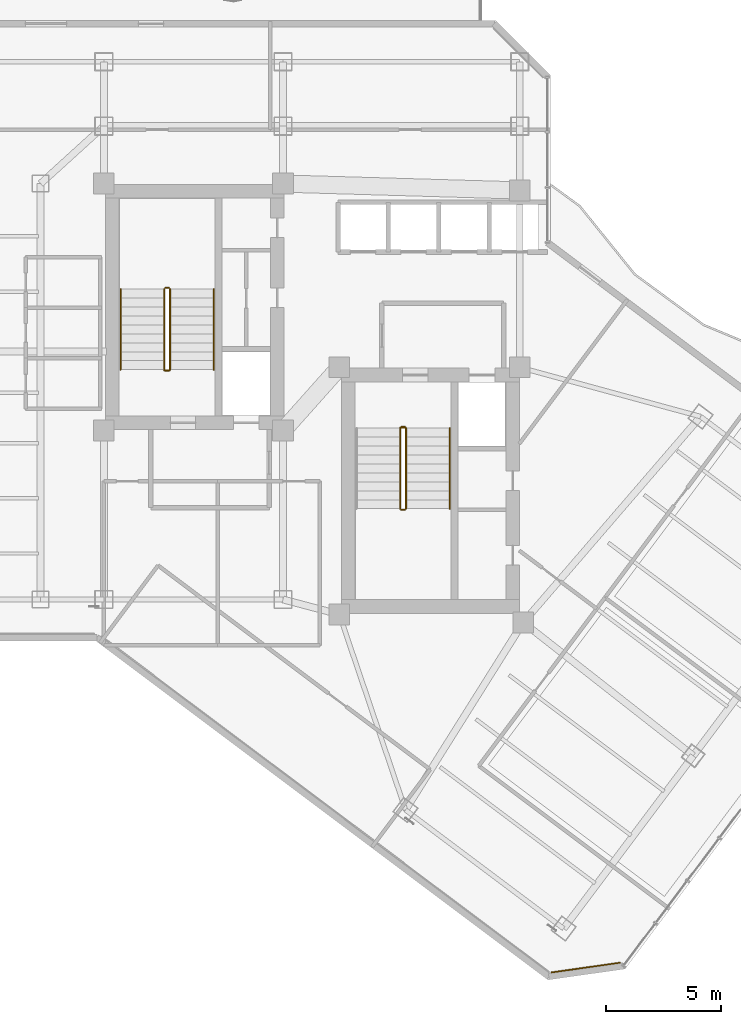
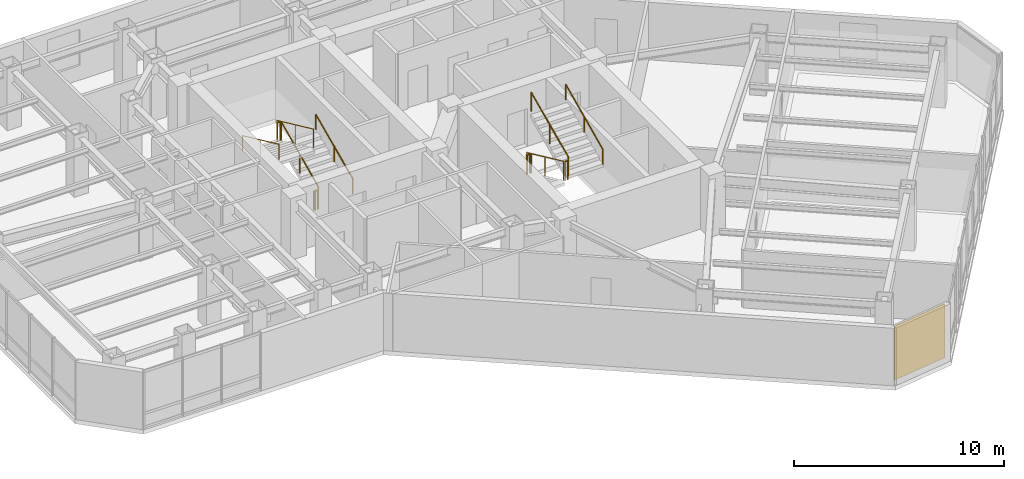
# One storey, part 26 of 27: 13 railings, 1 covering.
"""IFC4 building model written with IfcOpenShell, lengths in metres."""

from ifc_helpers import new_model, si_unit, direction, frame, origin, origin_2d, place, context, subcontext, project, spatial, rectangle, circle, extrude, material, layer, layer_set, type_object, element, save


model = new_model("IFC4")

# Units and contexts
model_context = context("Model", 3, precision=1e-05, world=origin(), true_north=direction((0.0, 1.0)))
body_context = subcontext(model_context, "Body", "Model", "MODEL_VIEW")
ifc_project = project(units=[si_unit("LENGTHUNIT", "METRE"), si_unit("AREAUNIT", "SQUARE_METRE"), si_unit("VOLUMEUNIT", "CUBIC_METRE"), si_unit("PLANEANGLEUNIT", "RADIAN"), si_unit("MASSUNIT", "GRAM", prefix="KILO")], contexts=[model_context])

# Site, building, storey
site_placement = place(None, origin())
site = spatial("IfcSite", under=ifc_project, at=site_placement, CompositionType="ELEMENT")
building_placement = place(site_placement, origin())
building = spatial("IfcBuilding", under=site, at=building_placement, Name="Hatsunagi Terrace Concourse", CompositionType="ELEMENT")
storey_placement = place(building_placement, frame((0.0, 0.0, 174.449951171875)))
storey = spatial("IfcBuildingStorey", under=building, at=storey_placement, Name="L46", CompositionType="ELEMENT", Elevation=174.449951171875)

# Railings
ifc_material_1 = material(Name="Stainless steel", Category="steel")
ifc_layer_1 = layer(ifc_material_1, 0.044921875)
ifc_layer_set_1 = layer_set([ifc_layer_1], Name="StairPitchHandrail_Tower2000")
railing_type_1 = type_object("IfcRailingType", Name="StairPitchHandrail_Tower2000", PredefinedType="HANDRAIL", material=ifc_layer_set_1)
railing_1_placement = place(storey_placement, frame((30.330078125, 35.199951171875, 0.179931640625)))
element("IfcRailing", 1, at=railing_1_placement, inside=storey, type_object=railing_type_1, Name="L46 ST-A stair handrail 1", PredefinedType="HANDRAIL", context=body_context, shape_type="SweptSolid", body=[
    extrude(circle(Radius=0.02392578125, at=origin_2d()), frame((0.0, 0.0, 0.8759765625), z_axis=(0.0, 0.907948293929, 0.419082206198), x_axis=(-1.0, 0.0, 0.0)), (0.0, 0.0, 1.0), 3.865966796875),
    extrude(circle(Radius=0.02099609375, at=origin_2d()), origin(), (0.0, 0.0, 1.0), 0.851806640625),
    extrude(circle(Radius=0.02099609375, at=origin_2d()), frame((0.0, 1.7548828125, 0.81005859375)), (0.0, 0.0, 1.0), 0.851806640625),
    extrude(circle(Radius=0.02099609375, at=origin_2d()), frame((0.0, 3.510009765625, 1.6201171875)), (0.0, 0.0, 1.0), 0.851806640625),
])
railing_2_placement = place(storey_placement, frame((26.280029296875, 38.7099609375, 1.97998046875)))
element("IfcRailing", 2, at=railing_2_placement, inside=storey, type_object=railing_type_1, Name="L46 ST-A stair handrail 2", PredefinedType="HANDRAIL", context=body_context, shape_type="SweptSolid", body=[
    extrude(circle(Radius=0.02392578125, at=origin_2d()), frame((0.0, 0.0, 0.8759765625), z_axis=(0.0, -0.907948293929, 0.419082206198), x_axis=(1.0, 0.0, 0.0)), (0.0, 0.0, 1.0), 3.865966796875),
    extrude(circle(Radius=0.02099609375, at=origin_2d()), origin(), (0.0, 0.0, 1.0), 0.851806640625),
    extrude(circle(Radius=0.02099609375, at=origin_2d()), frame((0.0, -1.7548828125, 0.81005859375)), (0.0, 0.0, 1.0), 0.851806640625),
    extrude(circle(Radius=0.02099609375, at=origin_2d()), frame((0.0, -3.510009765625, 1.6201171875)), (0.0, 0.0, 1.0), 0.851806640625),
])
railing_3_placement = place(storey_placement, frame((40.60009765625, 29.14990234375, 1.97998046875)))
element("IfcRailing", 3, at=railing_3_placement, inside=storey, type_object=railing_type_1, Name="L46 ST-B stair handrail 2", PredefinedType="HANDRAIL", context=body_context, shape_type="SweptSolid", body=[
    extrude(circle(Radius=0.02392578125, at=origin_2d()), frame((0.0, 0.0, 0.8759765625), z_axis=(0.0, 0.907948293929, 0.419082206198), x_axis=(-1.0, 0.0, 0.0)), (0.0, 0.0, 1.0), 3.865966796875),
    extrude(circle(Radius=0.02099609375, at=origin_2d()), origin(), (0.0, 0.0, 1.0), 0.851806640625),
    extrude(circle(Radius=0.02099609375, at=origin_2d()), frame((0.0, 1.7548828125, 0.81005859375)), (0.0, 0.0, 1.0), 0.851806640625),
    extrude(circle(Radius=0.02099609375, at=origin_2d()), frame((0.0, 3.510009765625, 1.6201171875)), (0.0, 0.0, 1.0), 0.851806640625),
])
ifc_material_2 = material(Name="Stainless steel", Category="steel")
ifc_layer_2 = layer(ifc_material_2, 0.06005859375)
ifc_layer_set_2 = layer_set([ifc_layer_2], Name="StairWellGuard_Tower2000")
railing_type_2 = type_object("IfcRailingType", Name="StairWellGuard_Tower2000", PredefinedType="BALUSTRADE", material=ifc_layer_set_2)
railing_4_placement = place(storey_placement, frame((28.429931640625, 35.199951171875, 0.179931640625)))
element("IfcRailing", 4, at=railing_4_placement, inside=storey, type_object=railing_type_2, Name="L46 ST-A stair guard 1", PredefinedType="BALUSTRADE", context=body_context, shape_type="SweptSolid", body=[
    extrude(circle(Radius=0.02392578125, at=origin_2d()), frame((0.0, 0.0, 1.09619140625), z_axis=(0.0, 0.907948293929, 0.419082206198), x_axis=(-1.0, 0.0, 0.0)), (0.0, 0.0, 1.0), 3.865966796875),
    extrude(circle(Radius=0.02099609375, at=origin_2d()), origin(), (0.0, 0.0, 1.0), 1.072021484375),
    extrude(circle(Radius=0.02099609375, at=origin_2d()), frame((0.0, 1.7548828125, 0.81005859375)), (0.0, 0.0, 1.0), 1.072021484375),
    extrude(circle(Radius=0.02099609375, at=origin_2d()), frame((0.0, 3.510009765625, 1.6201171875)), (0.0, 0.0, 1.0), 1.072021484375),
])
railing_5_placement = place(storey_placement, frame((28.3798828125, 38.760009765625, 1.800048828125)))
element("IfcRailing", 5, at=railing_5_placement, inside=storey, type_object=railing_type_2, Name="L46 ST-A stair guard 2", PredefinedType="BALUSTRADE", context=body_context, shape_type="SweptSolid", body=[
    extrude(circle(Radius=0.02392578125, at=origin_2d()), frame((0.0, 0.0, 1.09619140625), z_axis=(-1.0, 0.0, 0.0), x_axis=(0.0, -1.0, 0.0)), (0.0, 0.0, 1.0), 0.14990234375),
    extrude(circle(Radius=0.02099609375, at=origin_2d()), origin(), (0.0, 0.0, 1.0), 1.072021484375),
    extrude(circle(Radius=0.02099609375, at=origin_2d()), frame((-0.14990234375, 0.0, 0.0)), (0.0, 0.0, 1.0), 1.072021484375),
])
railing_6_placement = place(storey_placement, frame((28.179931640625, 38.7099609375, 1.97998046875)))
element("IfcRailing", 6, at=railing_6_placement, inside=storey, type_object=railing_type_2, Name="L46 ST-A stair guard 3", PredefinedType="BALUSTRADE", context=body_context, shape_type="SweptSolid", body=[
    extrude(circle(Radius=0.02392578125, at=origin_2d()), frame((0.0, 0.0, 1.09619140625), z_axis=(0.0, -0.907948293929, 0.419082206198), x_axis=(1.0, 0.0, 0.0)), (0.0, 0.0, 1.0), 3.865966796875),
    extrude(circle(Radius=0.02099609375, at=origin_2d()), origin(), (0.0, 0.0, 1.0), 1.072021484375),
    extrude(circle(Radius=0.02099609375, at=origin_2d()), frame((0.0, -1.7548828125, 0.81005859375)), (0.0, 0.0, 1.0), 1.072021484375),
    extrude(circle(Radius=0.02099609375, at=origin_2d()), frame((0.0, -3.510009765625, 1.6201171875)), (0.0, 0.0, 1.0), 1.072021484375),
])
railing_7_placement = place(storey_placement, frame((28.3798828125, 35.14990234375, 0.0)))
element("IfcRailing", 7, at=railing_7_placement, inside=storey, type_object=railing_type_2, Name="L46 ST-A stair guard 4", PredefinedType="BALUSTRADE", context=body_context, shape_type="SweptSolid", body=[
    extrude(circle(Radius=0.02392578125, at=origin_2d()), frame((0.0, 0.0, 1.09619140625), z_axis=(-1.0, 0.0, 0.0), x_axis=(0.0, -1.0, 0.0)), (0.0, 0.0, 1.0), 0.14990234375),
    extrude(circle(Radius=0.02099609375, at=origin_2d()), origin(), (0.0, 0.0, 1.0), 1.072021484375),
    extrude(circle(Radius=0.02099609375, at=origin_2d()), frame((-0.14990234375, 0.0, 0.0)), (0.0, 0.0, 1.0), 1.072021484375),
])
railing_8_placement = place(storey_placement, frame((38.449951171875, 32.659912109375, 0.179931640625)))
element("IfcRailing", 8, at=railing_8_placement, inside=storey, type_object=railing_type_2, Name="L46 ST-B stair guard 1", PredefinedType="BALUSTRADE", context=body_context, shape_type="SweptSolid", body=[
    extrude(circle(Radius=0.02392578125, at=origin_2d()), frame((0.0, 0.0, 1.09619140625), z_axis=(0.0, -0.907948293929, 0.419082206198), x_axis=(1.0, 0.0, 0.0)), (0.0, 0.0, 1.0), 3.865966796875),
    extrude(circle(Radius=0.02099609375, at=origin_2d()), origin(), (0.0, 0.0, 1.0), 1.072021484375),
    extrude(circle(Radius=0.02099609375, at=origin_2d()), frame((0.0, -1.7548828125, 0.81005859375)), (0.0, 0.0, 1.0), 1.072021484375),
    extrude(circle(Radius=0.02099609375, at=origin_2d()), frame((0.0, -3.510009765625, 1.6201171875)), (0.0, 0.0, 1.0), 1.072021484375),
])
railing_9_placement = place(storey_placement, frame((38.5, 29.10009765625, 1.800048828125)))
element("IfcRailing", 9, at=railing_9_placement, inside=storey, type_object=railing_type_2, Name="L46 ST-B stair guard 2", PredefinedType="BALUSTRADE", context=body_context, shape_type="SweptSolid", body=[
    extrude(circle(Radius=0.02392578125, at=origin_2d()), frame((0.0, 0.0, 1.09619140625), z_axis=(1.0, 0.0, 0.0), x_axis=(0.0, 1.0, 0.0)), (0.0, 0.0, 1.0), 0.14990234375),
    extrude(circle(Radius=0.02099609375, at=origin_2d()), origin(), (0.0, 0.0, 1.0), 1.072021484375),
    extrude(circle(Radius=0.02099609375, at=origin_2d()), frame((0.14990234375, 0.0, 0.0)), (0.0, 0.0, 1.0), 1.072021484375),
])
railing_10_placement = place(storey_placement, frame((38.699951171875, 29.14990234375, 1.97998046875)))
element("IfcRailing", 10, at=railing_10_placement, inside=storey, type_object=railing_type_2, Name="L46 ST-B stair guard 3", PredefinedType="BALUSTRADE", context=body_context, shape_type="SweptSolid", body=[
    extrude(circle(Radius=0.02392578125, at=origin_2d()), frame((0.0, 0.0, 1.09619140625), z_axis=(0.0, 0.907948293929, 0.419082206198), x_axis=(-1.0, 0.0, 0.0)), (0.0, 0.0, 1.0), 3.865966796875),
    extrude(circle(Radius=0.02099609375, at=origin_2d()), origin(), (0.0, 0.0, 1.0), 1.072021484375),
    extrude(circle(Radius=0.02099609375, at=origin_2d()), frame((0.0, 1.7548828125, 0.81005859375)), (0.0, 0.0, 1.0), 1.072021484375),
    extrude(circle(Radius=0.02099609375, at=origin_2d()), frame((0.0, 3.510009765625, 1.6201171875)), (0.0, 0.0, 1.0), 1.072021484375),
])
railing_11_placement = place(storey_placement, frame((38.5, 32.7099609375, 0.0)))
element("IfcRailing", 11, at=railing_11_placement, inside=storey, type_object=railing_type_2, Name="L46 ST-B stair guard 4", PredefinedType="BALUSTRADE", context=body_context, shape_type="SweptSolid", body=[
    extrude(circle(Radius=0.02392578125, at=origin_2d()), frame((0.0, 0.0, 1.09619140625), z_axis=(1.0, 0.0, 0.0), x_axis=(0.0, 1.0, 0.0)), (0.0, 0.0, 1.0), 0.14990234375),
    extrude(circle(Radius=0.02099609375, at=origin_2d()), origin(), (0.0, 0.0, 1.0), 1.072021484375),
    extrude(circle(Radius=0.02099609375, at=origin_2d()), frame((0.14990234375, 0.0, 0.0)), (0.0, 0.0, 1.0), 1.072021484375),
])
ifc_material_3 = material(Name="Stainless Steel SUS316 Post-and-Rail Guard", Category="steel")
ifc_layer_3 = layer(ifc_material_3, 0.080078125)
ifc_layer_set_3 = layer_set([ifc_layer_3], Name="TerracePlantedGuardRail_1200")
railing_type_3 = type_object("IfcRailingType", Name="TerracePlantedGuardRail_1200", PredefinedType="GUARDRAIL", material=ifc_layer_set_3)
for number, where, name in (
    (12, (28.179931640625, 35.179931640625, 0.0), "Stair ST-A Well Closure Guard L46"),
    (13, (38.449951171875, 32.679931640625, 0.0), "Stair ST-B Well Closure Guard L46"),
):
    element("IfcRailing", number, at=place(storey_placement, frame(where)), inside=storey, type_object=railing_type_3, Name=name, PredefinedType="GUARDRAIL", context=body_context, shape_type="SweptSolid", body=[
        extrude(circle(Radius=0.02392578125, at=origin_2d()), frame((0.0, 0.0, 1.09619140625), z_axis=(1.0, 0.0, 0.0), x_axis=(0.0, 1.0, 0.0)), (0.0, 0.0, 1.0), 0.25),
        extrude(circle(Radius=0.02099609375, at=origin_2d()), origin(), (0.0, 0.0, 1.0), 1.072021484375),
        extrude(circle(Radius=0.02099609375, at=origin_2d()), frame((0.25, 0.0, 0.0)), (0.0, 0.0, 1.0), 1.072021484375),
    ])

# Covering
ifc_material_4 = material(Name="Unglazed Warm Terracotta Rainscreen Tile", Category="masonry")
ifc_layer_4 = layer(ifc_material_4, 0.044921875)
ifc_layer_set_4 = layer_set([ifc_layer_4], Name="TerracottaRainscreenCladding_45")
covering_type = type_object("IfcCoveringType", Name="TerracottaRainscreenCladding_45", PredefinedType="CLADDING", material=ifc_layer_set_4)
covering_placement = place(storey_placement, frame((46.51806640625, 9.178955078125, 0.10009765625), z_axis=(0.0, 0.0, 1.0), x_axis=(-0.989973920543, -0.141250262458, 0.0)))
element("IfcCovering", 14, at=covering_placement, inside=storey, type_object=covering_type, Name="Terracotta Rainscreen Cladding L46-04", PredefinedType="CLADDING", context=body_context, shape_type="SweptSolid", body=[
    extrude(rectangle(XDim=3.0380859375, YDim=0.044921875, at=origin_2d()), origin(), (0.0, 0.0, 1.0), 3.14990234375),
])

save(model, "model.ifc")
